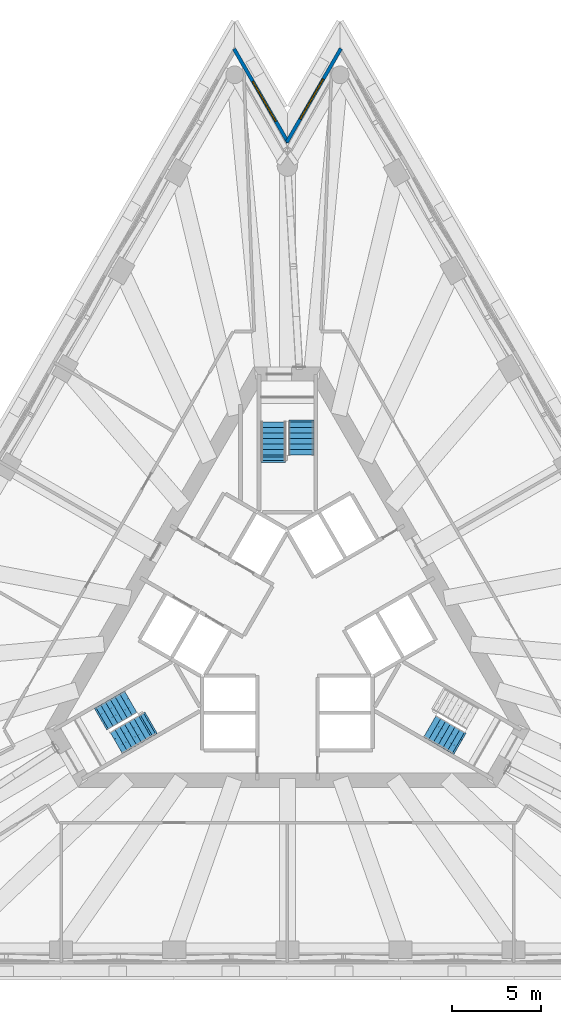
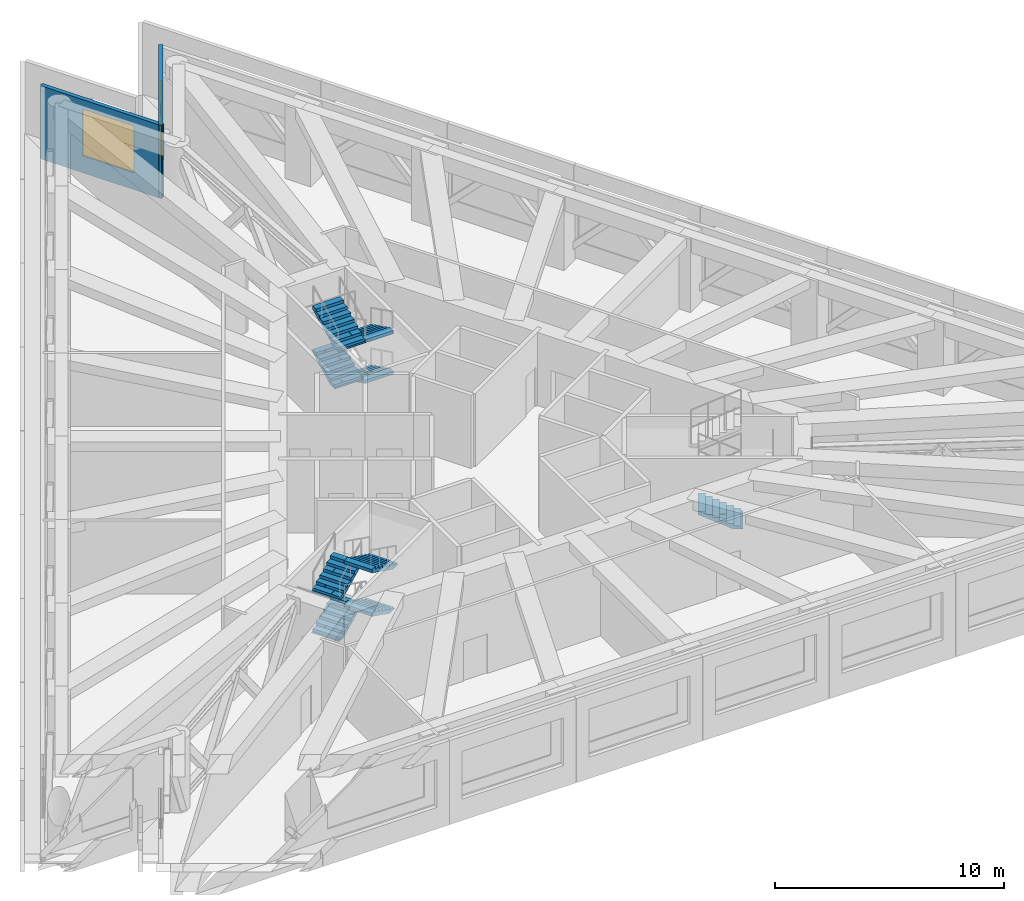
# One storey, part 10 of 13: 9 stair flights, 2 walls, 2 windows, 2 openings, 3 elements without a shape of their own.
"""IFC4 building model written with IfcOpenShell, lengths in metres."""

from ifc_helpers import new_model, si_unit, direction, frame, frame_2d, origin, place, context, subcontext, project, spatial, polyline, rectangle, outline, extrude, material, layer, layer_set, layer_usage, type_object, element, fill, aggregate, save


model = new_model("IFC4")

# Units and contexts
model_context = context("Model", 3, precision=1e-05, world=origin(), true_north=direction((0.0, 1.0)))
body_context = subcontext(model_context, "Body", "Model", "MODEL_VIEW")
ifc_project = project(units=[si_unit("LENGTHUNIT", "METRE"), si_unit("AREAUNIT", "SQUARE_METRE"), si_unit("VOLUMEUNIT", "CUBIC_METRE"), si_unit("PLANEANGLEUNIT", "RADIAN"), si_unit("MASSUNIT", "GRAM", prefix="KILO")], contexts=[model_context])

# Site, building, storey
site_placement = place(None, origin())
site = spatial("IfcSite", under=ifc_project, at=site_placement, CompositionType="ELEMENT")
building_placement = place(site_placement, origin())
building = spatial("IfcBuilding", under=site, at=building_placement, Name="Triada Interchange Tower", CompositionType="ELEMENT")
storey_placement = place(building_placement, frame((0.0, 0.0, 176.300048828125)))
storey = spatial("IfcBuildingStorey", under=building, at=storey_placement, Name="L41", CompositionType="ELEMENT", Elevation=176.300048828125)

# Wall, opening, window
ifc_material_1 = material(Name="Cement board")
ifc_layer_1 = layer(ifc_material_1, 0.02001953125, Name="Cement board cladding")
ifc_material_2 = material(Name="Sheathing board")
ifc_layer_2 = layer(ifc_material_2, 0.014892578125, Name="Sheathing board")
ifc_material_3 = material(Name="Mineral wool")
ifc_layer_3 = layer(ifc_material_3, 0.14990234375, Name="Mineral wool between steel studs")
ifc_material_4 = material(Name="Gypsum board")
ifc_layer_4 = layer(ifc_material_4, 0.014892578125, Name="Plasterboard lining")
ifc_layer_set = layer_set([ifc_layer_1, ifc_layer_2, ifc_layer_3, ifc_layer_4], Name="External wall 200")
ifc_layer_usage = layer_usage(ifc_layer_set, "AXIS2", "POSITIVE", -0.10009765625)
wall_type = type_object("IfcWallType", Name="External wall 200", PredefinedType="ELEMENTEDWALL", material=ifc_layer_set)
wall_1_placement = place(storey_placement, frame((3.01611328125, 32.654052734375, 0.0), z_axis=(0.0, 0.0, 1.0), x_axis=(-0.499886353396, -0.86609100774, 0.0)))
wall_1 = element("IfcWall", 1, at=wall_1_placement, inside=storey, type_object=wall_type, material=ifc_layer_usage, Name="External wall L41 N-1", PredefinedType="ELEMENTEDWALL", context=body_context, shape_type="SweptSolid", body=[
    extrude(rectangle(XDim=6.103515625, YDim=0.199951171875, at=frame_2d((3.0517578125, 0.0))), origin(), (0.0, 0.0, 1.0), 3.89990234375),
])
opening_1_placement = place(wall_1_placement, frame((1.989990234375, 0.0, 0.89990234375)))
opening_1 = element("IfcOpeningElement", 2, at=opening_1_placement, cuts=wall_1, Name="Opening WB29", PredefinedType="OPENING", context=body_context, shape_type="SweptSolid", body=[
    extrude(rectangle(XDim=2.60009765625, YDim=2.5, at=frame_2d((1.300048828125, 1.25))), frame((0.0, 0.10986328125, 0.0), z_axis=(0.0, -1.0, 0.0), x_axis=(1.0, 0.0, 0.0)), (0.0, 0.0, 1.0), 0.219970703125),
])
ifc_material_5 = material(Name="Double glazed aluminium window", Category="aluminium")
window_type = type_object("IfcWindowType", Name="Ribbon window B pocket", PartitioningType="SINGLE_PANEL", PredefinedType="WINDOW", material=ifc_material_5)
window_1_placement = place(opening_1_placement, origin())
window_1 = element("IfcWindow", 3, at=window_1_placement, inside=storey, type_object=window_type, Name="Window L41 N-1 1", OverallHeight=2.5, OverallWidth=2.60009765625, PartitioningType="SINGLE_PANEL", PredefinedType="WINDOW", context=body_context, shape_type="SweptSolid", body=[
    extrude(rectangle(XDim=2.60009765625, YDim=2.5, at=frame_2d((1.300048828125, 1.25))), frame((0.0, 0.030029296875, 0.0), z_axis=(0.0, -1.0, 0.0), x_axis=(1.0, 0.0, 0.0)), (0.0, 0.0, 1.0), 0.06005859375),
])
fill(opening_1, window_1)

wall_2_placement = place(storey_placement, frame((0.044921875, 27.35107421875, 0.0), z_axis=(0.0, 0.0, 1.0), x_axis=(-0.499903671999, 0.866081011639, 0.0)))
wall_2 = element("IfcWall", 4, at=wall_2_placement, inside=storey, type_object=wall_type, material=ifc_layer_usage, Name="External wall L41 N-2", PredefinedType="ELEMENTEDWALL", context=body_context, shape_type="SweptSolid", body=[
    extrude(rectangle(XDim=6.103271484375, YDim=0.199951171875, at=frame_2d((3.0517578125, 0.0))), origin(), (0.0, 0.0, 1.0), 3.89990234375),
])
opening_2_placement = place(wall_2_placement, frame((1.389892578125, 0.0, 0.89990234375)))
opening_2 = element("IfcOpeningElement", 5, at=opening_2_placement, cuts=wall_2, Name="Opening WB30", PredefinedType="OPENING", context=body_context, shape_type="SweptSolid", body=[
    extrude(rectangle(XDim=2.60009765625, YDim=2.5, at=frame_2d((1.300048828125, 1.25))), frame((0.0, 0.10986328125, 0.0), z_axis=(0.0, -1.0, 0.0), x_axis=(1.0, 0.0, 0.0)), (0.0, 0.0, 1.0), 0.219970703125),
])
window_2_placement = place(opening_2_placement, origin())
window_2 = element("IfcWindow", 6, at=window_2_placement, inside=storey, type_object=window_type, Name="Window L41 N-2 1", OverallHeight=2.5, OverallWidth=2.60009765625, PartitioningType="SINGLE_PANEL", PredefinedType="WINDOW", context=body_context, shape_type="SweptSolid", body=[
    extrude(rectangle(XDim=2.60009765625, YDim=2.5, at=frame_2d((1.300048828125, 1.25))), frame((0.0, 0.030029296875, 0.0), z_axis=(0.0, -1.0, 0.0), x_axis=(1.0, 0.0, 0.0)), (0.0, 0.0, 1.0), 0.06005859375),
])
fill(opening_2, window_2)

# Stair, stair flights
ifc_material_6 = material(Name="Concrete C35/45", Category="concrete")
stair_type = type_object("IfcStairType", Name="HALF TURN STAIR 1400", PredefinedType="HALF_TURN_STAIR", material=ifc_material_6)
stair_1_placement = place(storey_placement, origin())
stair_1 = element("IfcStair", 7, at=stair_1_placement, inside=storey, type_object=stair_type, Name="Exit stair S41-1", PredefinedType="HALF_TURN_STAIR")
stair_flight_type = type_object("IfcStairFlightType", Name="STRAIGHT STAIR FLIGHT 1400", PredefinedType="STRAIGHT", material=ifc_material_6)
stair_flight_1_placement = place(storey_placement, frame((0.800048828125, 11.60009765625, 0.0), z_axis=(0.0, 0.0, 1.0), x_axis=(0.0, -1.0, 0.0)))
stair_flight_1 = element("IfcStairFlight", 8, at=stair_flight_1_placement, type_object=stair_flight_type, Name="S41-1 flight 1", NumberOfRisers=7, NumberOfTreads=6, PredefinedType="STRAIGHT", RiserHeight=0.15517, TreadLength=0.31, context=body_context, shape_type="SweptSolid", body=[
    extrude(outline(polyline([(-0.10009765625, 0.0), (-0.10009765625, 0.02001953125), (0.0, 0.02001953125), (0.0, 0.1552734375), (0.31005859375, 0.1552734375), (0.31005859375, 0.310302734375), (0.6201171875, 0.310302734375), (0.6201171875, 0.465576171875), (0.929931640625, 0.465576171875), (0.929931640625, 0.62060546875), (1.239990234375, 0.62060546875), (1.239990234375, 0.77587890625), (1.550048828125, 0.77587890625), (1.550048828125, 0.930908203125), (1.860107421875, 0.930908203125), (1.864013671875, 0.930908203125), (1.864013671875, 1.086181640625), (1.864013671875, 0.763427734375), (0.3349609375, 0.0), (-0.10009765625, 0.0)])), frame((0.0, 0.699951171875, 0.0), z_axis=(0.0, -1.0, 0.0), x_axis=(1.0, 0.0, 0.0)), (0.0, 0.0, 1.0), 0.46533203125),
    extrude(outline(polyline([(-0.10009765625, 0.0), (-0.10009765625, 0.02001953125), (0.0, 0.02001953125), (0.0, 0.1552734375), (0.31005859375, 0.1552734375), (0.31005859375, 0.310302734375), (0.6201171875, 0.310302734375), (0.6201171875, 0.465576171875), (0.929931640625, 0.465576171875), (0.929931640625, 0.62060546875), (1.239990234375, 0.62060546875), (1.239990234375, 0.77587890625), (1.550048828125, 0.77587890625), (1.550048828125, 0.930908203125), (1.860107421875, 0.930908203125), (1.864013671875, 0.930908203125), (1.864013671875, 1.086181640625), (1.864013671875, 0.763427734375), (0.3349609375, 0.0), (-0.10009765625, 0.0)])), frame((0.0, 0.232666015625, 0.0), z_axis=(0.0, -1.0, 0.0), x_axis=(1.0, 0.0, 0.0)), (0.0, 0.0, 1.0), 0.46533203125),
    extrude(outline(polyline([(-0.10009765625, 0.0), (-0.10009765625, 0.02001953125), (0.0, 0.02001953125), (0.0, 0.1552734375), (0.31005859375, 0.1552734375), (0.31005859375, 0.310302734375), (0.6201171875, 0.310302734375), (0.6201171875, 0.465576171875), (0.929931640625, 0.465576171875), (0.929931640625, 0.62060546875), (1.239990234375, 0.62060546875), (1.239990234375, 0.77587890625), (1.550048828125, 0.77587890625), (1.550048828125, 0.930908203125), (1.860107421875, 0.930908203125), (1.864013671875, 0.930908203125), (1.864013671875, 1.086181640625), (1.864013671875, 0.763427734375), (0.3349609375, 0.0), (-0.10009765625, 0.0)])), frame((0.0, -0.234619140625, 0.0), z_axis=(0.0, -1.0, 0.0), x_axis=(1.0, 0.0, 0.0)), (0.0, 0.0, 1.0), 0.46533203125),
])
stair_flight_2_placement = place(storey_placement, frame((-0.800048828125, 9.739990234375, 1.086181640625), z_axis=(0.0, 0.0, 1.0), x_axis=(0.0, 1.0, 0.0)))
stair_flight_2 = element("IfcStairFlight", 9, at=stair_flight_2_placement, type_object=stair_flight_type, Name="S41-1 flight 2", NumberOfRisers=7, NumberOfTreads=6, PredefinedType="STRAIGHT", RiserHeight=0.15517, TreadLength=0.31, context=body_context, shape_type="SweptSolid", body=[
    extrude(outline(polyline([(-0.10009765625, 0.0), (-0.10009765625, 0.02001953125), (0.0, 0.02001953125), (0.0, 0.1552734375), (0.31005859375, 0.1552734375), (0.31005859375, 0.310302734375), (0.6201171875, 0.310302734375), (0.6201171875, 0.465576171875), (0.929931640625, 0.465576171875), (0.929931640625, 0.62060546875), (1.239990234375, 0.62060546875), (1.239990234375, 0.77587890625), (1.550048828125, 0.77587890625), (1.550048828125, 0.930908203125), (1.860107421875, 0.930908203125), (1.864013671875, 0.930908203125), (1.864013671875, 1.086181640625), (1.864013671875, 0.763427734375), (0.3349609375, 0.0), (-0.10009765625, 0.0)])), frame((0.0, 0.699951171875, 0.0), z_axis=(0.0, -1.0, 0.0), x_axis=(1.0, 0.0, 0.0)), (0.0, 0.0, 1.0), 0.46533203125),
    extrude(outline(polyline([(-0.10009765625, 0.0), (-0.10009765625, 0.02001953125), (0.0, 0.02001953125), (0.0, 0.1552734375), (0.31005859375, 0.1552734375), (0.31005859375, 0.310302734375), (0.6201171875, 0.310302734375), (0.6201171875, 0.465576171875), (0.929931640625, 0.465576171875), (0.929931640625, 0.62060546875), (1.239990234375, 0.62060546875), (1.239990234375, 0.77587890625), (1.550048828125, 0.77587890625), (1.550048828125, 0.930908203125), (1.860107421875, 0.930908203125), (1.864013671875, 0.930908203125), (1.864013671875, 1.086181640625), (1.864013671875, 0.763427734375), (0.3349609375, 0.0), (-0.10009765625, 0.0)])), frame((0.0, 0.232666015625, 0.0), z_axis=(0.0, -1.0, 0.0), x_axis=(1.0, 0.0, 0.0)), (0.0, 0.0, 1.0), 0.46533203125),
    extrude(outline(polyline([(-0.10009765625, 0.0), (-0.10009765625, 0.02001953125), (0.0, 0.02001953125), (0.0, 0.1552734375), (0.31005859375, 0.1552734375), (0.31005859375, 0.310302734375), (0.6201171875, 0.310302734375), (0.6201171875, 0.465576171875), (0.929931640625, 0.465576171875), (0.929931640625, 0.62060546875), (1.239990234375, 0.62060546875), (1.239990234375, 0.77587890625), (1.550048828125, 0.77587890625), (1.550048828125, 0.930908203125), (1.860107421875, 0.930908203125), (1.864013671875, 0.930908203125), (1.864013671875, 1.086181640625), (1.864013671875, 0.763427734375), (0.3349609375, 0.0), (-0.10009765625, 0.0)])), frame((0.0, -0.234619140625, 0.0), z_axis=(0.0, -1.0, 0.0), x_axis=(1.0, 0.0, 0.0)), (0.0, 0.0, 1.0), 0.46533203125),
])
stair_flight_3_placement = place(storey_placement, frame((0.800048828125, 11.60009765625, 2.17236328125), z_axis=(0.0, 0.0, 1.0), x_axis=(0.0, -1.0, 0.0)))
stair_flight_3 = element("IfcStairFlight", 10, at=stair_flight_3_placement, type_object=stair_flight_type, Name="S41-1 flight 3", NumberOfRisers=7, NumberOfTreads=6, PredefinedType="STRAIGHT", RiserHeight=0.15517, TreadLength=0.31, context=body_context, shape_type="SweptSolid", body=[
    extrude(outline(polyline([(-0.10009765625, 0.0), (-0.10009765625, 0.02001953125), (0.0, 0.02001953125), (0.0, 0.1552734375), (0.31005859375, 0.1552734375), (0.31005859375, 0.310302734375), (0.6201171875, 0.310302734375), (0.6201171875, 0.465576171875), (0.929931640625, 0.465576171875), (0.929931640625, 0.62060546875), (1.239990234375, 0.62060546875), (1.239990234375, 0.77587890625), (1.550048828125, 0.77587890625), (1.550048828125, 0.930908203125), (1.860107421875, 0.930908203125), (1.864013671875, 0.930908203125), (1.864013671875, 1.086181640625), (1.864013671875, 0.763427734375), (0.3349609375, 0.0), (-0.10009765625, 0.0)])), frame((0.0, 0.699951171875, 0.0), z_axis=(0.0, -1.0, 0.0), x_axis=(1.0, 0.0, 0.0)), (0.0, 0.0, 1.0), 0.46533203125),
    extrude(outline(polyline([(-0.10009765625, 0.0), (-0.10009765625, 0.02001953125), (0.0, 0.02001953125), (0.0, 0.1552734375), (0.31005859375, 0.1552734375), (0.31005859375, 0.310302734375), (0.6201171875, 0.310302734375), (0.6201171875, 0.465576171875), (0.929931640625, 0.465576171875), (0.929931640625, 0.62060546875), (1.239990234375, 0.62060546875), (1.239990234375, 0.77587890625), (1.550048828125, 0.77587890625), (1.550048828125, 0.930908203125), (1.860107421875, 0.930908203125), (1.864013671875, 0.930908203125), (1.864013671875, 1.086181640625), (1.864013671875, 0.763427734375), (0.3349609375, 0.0), (-0.10009765625, 0.0)])), frame((0.0, 0.232666015625, 0.0), z_axis=(0.0, -1.0, 0.0), x_axis=(1.0, 0.0, 0.0)), (0.0, 0.0, 1.0), 0.46533203125),
    extrude(outline(polyline([(-0.10009765625, 0.0), (-0.10009765625, 0.02001953125), (0.0, 0.02001953125), (0.0, 0.1552734375), (0.31005859375, 0.1552734375), (0.31005859375, 0.310302734375), (0.6201171875, 0.310302734375), (0.6201171875, 0.465576171875), (0.929931640625, 0.465576171875), (0.929931640625, 0.62060546875), (1.239990234375, 0.62060546875), (1.239990234375, 0.77587890625), (1.550048828125, 0.77587890625), (1.550048828125, 0.930908203125), (1.860107421875, 0.930908203125), (1.864013671875, 0.930908203125), (1.864013671875, 1.086181640625), (1.864013671875, 0.763427734375), (0.3349609375, 0.0), (-0.10009765625, 0.0)])), frame((0.0, -0.234619140625, 0.0), z_axis=(0.0, -1.0, 0.0), x_axis=(1.0, 0.0, 0.0)), (0.0, 0.0, 1.0), 0.46533203125),
])
stair_flight_4_placement = place(storey_placement, frame((-0.800048828125, 9.429931640625, 3.258544921875), z_axis=(0.0, 0.0, 1.0), x_axis=(0.0, 1.0, 0.0)))
stair_flight_4 = element("IfcStairFlight", 11, at=stair_flight_4_placement, type_object=stair_flight_type, Name="S41-1 flight 4", NumberOfRisers=8, NumberOfTreads=7, PredefinedType="STRAIGHT", RiserHeight=0.15517, TreadLength=0.31, context=body_context, shape_type="SweptSolid", body=[
    extrude(outline(polyline([(-0.10009765625, 0.0), (-0.10009765625, 0.02001953125), (0.0, 0.02001953125), (0.0, 0.1552734375), (0.31005859375, 0.1552734375), (0.31005859375, 0.310302734375), (0.6201171875, 0.310302734375), (0.6201171875, 0.465576171875), (0.929931640625, 0.465576171875), (0.929931640625, 0.62060546875), (1.239990234375, 0.62060546875), (1.239990234375, 0.77587890625), (1.550048828125, 0.77587890625), (1.550048828125, 0.930908203125), (1.860107421875, 0.930908203125), (1.860107421875, 1.086181640625), (2.169921875, 1.086181640625), (2.174072265625, 1.086181640625), (2.174072265625, 1.241455078125), (2.174072265625, 0.91845703125), (0.3349609375, 0.0), (-0.10009765625, 0.0)])), frame((0.0, 0.699951171875, 0.0), z_axis=(0.0, -1.0, 0.0), x_axis=(1.0, 0.0, 0.0)), (0.0, 0.0, 1.0), 0.46533203125),
    extrude(outline(polyline([(-0.10009765625, 0.0), (-0.10009765625, 0.02001953125), (0.0, 0.02001953125), (0.0, 0.1552734375), (0.31005859375, 0.1552734375), (0.31005859375, 0.310302734375), (0.6201171875, 0.310302734375), (0.6201171875, 0.465576171875), (0.929931640625, 0.465576171875), (0.929931640625, 0.62060546875), (1.239990234375, 0.62060546875), (1.239990234375, 0.77587890625), (1.550048828125, 0.77587890625), (1.550048828125, 0.930908203125), (1.860107421875, 0.930908203125), (1.860107421875, 1.086181640625), (2.169921875, 1.086181640625), (2.174072265625, 1.086181640625), (2.174072265625, 1.241455078125), (2.174072265625, 0.91845703125), (0.3349609375, 0.0), (-0.10009765625, 0.0)])), frame((0.0, 0.232666015625, 0.0), z_axis=(0.0, -1.0, 0.0), x_axis=(1.0, 0.0, 0.0)), (0.0, 0.0, 1.0), 0.46533203125),
    extrude(outline(polyline([(-0.10009765625, 0.0), (-0.10009765625, 0.02001953125), (0.0, 0.02001953125), (0.0, 0.1552734375), (0.31005859375, 0.1552734375), (0.31005859375, 0.310302734375), (0.6201171875, 0.310302734375), (0.6201171875, 0.465576171875), (0.929931640625, 0.465576171875), (0.929931640625, 0.62060546875), (1.239990234375, 0.62060546875), (1.239990234375, 0.77587890625), (1.550048828125, 0.77587890625), (1.550048828125, 0.930908203125), (1.860107421875, 0.930908203125), (1.860107421875, 1.086181640625), (2.169921875, 1.086181640625), (2.174072265625, 1.086181640625), (2.174072265625, 1.241455078125), (2.174072265625, 0.91845703125), (0.3349609375, 0.0), (-0.10009765625, 0.0)])), frame((0.0, -0.234619140625, 0.0), z_axis=(0.0, -1.0, 0.0), x_axis=(1.0, 0.0, 0.0)), (0.0, 0.0, 1.0), 0.46533203125),
])
aggregate(stair_1, [stair_flight_1, stair_flight_2, stair_flight_3, stair_flight_4])

stair_2_placement = place(storey_placement, origin())
stair_2 = element("IfcStair", 12, at=stair_2_placement, inside=storey, type_object=stair_type, Name="Exit stair S41-2", PredefinedType="HALF_TURN_STAIR")
stair_flight_5_placement = place(storey_placement, frame((-10.446044921875, -5.10693359375, 0.0), z_axis=(0.0, 0.0, 1.0), x_axis=(0.866025403784, 0.5, 0.0)))
stair_flight_5 = element("IfcStairFlight", 13, at=stair_flight_5_placement, type_object=stair_flight_type, Name="S41-2 flight 1", NumberOfRisers=7, NumberOfTreads=6, PredefinedType="STRAIGHT", RiserHeight=0.15517, TreadLength=0.31, context=body_context, shape_type="SweptSolid", body=[
    extrude(outline(polyline([(-0.10009765625, 0.0), (-0.10009765625, 0.02001953125), (0.0, 0.02001953125), (0.0, 0.1552734375), (0.31005859375, 0.1552734375), (0.31005859375, 0.310302734375), (0.6201171875, 0.310302734375), (0.6201171875, 0.465576171875), (0.929931640625, 0.465576171875), (0.929931640625, 0.62060546875), (1.239990234375, 0.62060546875), (1.239990234375, 0.77587890625), (1.550048828125, 0.77587890625), (1.550048828125, 0.930908203125), (1.860107421875, 0.930908203125), (1.864013671875, 0.930908203125), (1.864013671875, 1.086181640625), (1.864013671875, 0.763427734375), (0.3349609375, 0.0), (-0.10009765625, 0.0)])), frame((0.0, 0.699951171875, 0.0), z_axis=(0.0, -1.0, 0.0), x_axis=(1.0, 0.0, 0.0)), (0.0, 0.0, 1.0), 0.46533203125),
    extrude(outline(polyline([(-0.10009765625, 0.0), (-0.10009765625, 0.02001953125), (0.0, 0.02001953125), (0.0, 0.1552734375), (0.31005859375, 0.1552734375), (0.31005859375, 0.310302734375), (0.6201171875, 0.310302734375), (0.6201171875, 0.465576171875), (0.929931640625, 0.465576171875), (0.929931640625, 0.62060546875), (1.239990234375, 0.62060546875), (1.239990234375, 0.77587890625), (1.550048828125, 0.77587890625), (1.550048828125, 0.930908203125), (1.860107421875, 0.930908203125), (1.864013671875, 0.930908203125), (1.864013671875, 1.086181640625), (1.864013671875, 0.763427734375), (0.3349609375, 0.0), (-0.10009765625, 0.0)])), frame((0.0, 0.232666015625, 0.0), z_axis=(0.0, -1.0, 0.0), x_axis=(1.0, 0.0, 0.0)), (0.0, 0.0, 1.0), 0.46533203125),
    extrude(outline(polyline([(-0.10009765625, 0.0), (-0.10009765625, 0.02001953125), (0.0, 0.02001953125), (0.0, 0.1552734375), (0.31005859375, 0.1552734375), (0.31005859375, 0.310302734375), (0.6201171875, 0.310302734375), (0.6201171875, 0.465576171875), (0.929931640625, 0.465576171875), (0.929931640625, 0.62060546875), (1.239990234375, 0.62060546875), (1.239990234375, 0.77587890625), (1.550048828125, 0.77587890625), (1.550048828125, 0.930908203125), (1.860107421875, 0.930908203125), (1.864013671875, 0.930908203125), (1.864013671875, 1.086181640625), (1.864013671875, 0.763427734375), (0.3349609375, 0.0), (-0.10009765625, 0.0)])), frame((0.0, -0.234619140625, 0.0), z_axis=(0.0, -1.0, 0.0), x_axis=(1.0, 0.0, 0.0)), (0.0, 0.0, 1.0), 0.46533203125),
])
stair_flight_6_placement = place(storey_placement, frame((-8.034912109375, -5.56298828125, 1.086181640625), z_axis=(0.0, 0.0, 1.0), x_axis=(-0.866025403784, -0.5, 0.0)))
stair_flight_6 = element("IfcStairFlight", 14, at=stair_flight_6_placement, type_object=stair_flight_type, Name="S41-2 flight 2", NumberOfRisers=7, NumberOfTreads=6, PredefinedType="STRAIGHT", RiserHeight=0.15517, TreadLength=0.31, context=body_context, shape_type="SweptSolid", body=[
    extrude(outline(polyline([(-0.10009765625, 0.0), (-0.10009765625, 0.02001953125), (0.0, 0.02001953125), (0.0, 0.1552734375), (0.31005859375, 0.1552734375), (0.31005859375, 0.310302734375), (0.6201171875, 0.310302734375), (0.6201171875, 0.465576171875), (0.929931640625, 0.465576171875), (0.929931640625, 0.62060546875), (1.239990234375, 0.62060546875), (1.239990234375, 0.77587890625), (1.550048828125, 0.77587890625), (1.550048828125, 0.930908203125), (1.860107421875, 0.930908203125), (1.864013671875, 0.930908203125), (1.864013671875, 1.086181640625), (1.864013671875, 0.763427734375), (0.3349609375, 0.0), (-0.10009765625, 0.0)])), frame((0.0, 0.699951171875, 0.0), z_axis=(0.0, -1.0, 0.0), x_axis=(1.0, 0.0, 0.0)), (0.0, 0.0, 1.0), 0.46533203125),
    extrude(outline(polyline([(-0.10009765625, 0.0), (-0.10009765625, 0.02001953125), (0.0, 0.02001953125), (0.0, 0.1552734375), (0.31005859375, 0.1552734375), (0.31005859375, 0.310302734375), (0.6201171875, 0.310302734375), (0.6201171875, 0.465576171875), (0.929931640625, 0.465576171875), (0.929931640625, 0.62060546875), (1.239990234375, 0.62060546875), (1.239990234375, 0.77587890625), (1.550048828125, 0.77587890625), (1.550048828125, 0.930908203125), (1.860107421875, 0.930908203125), (1.864013671875, 0.930908203125), (1.864013671875, 1.086181640625), (1.864013671875, 0.763427734375), (0.3349609375, 0.0), (-0.10009765625, 0.0)])), frame((0.0, 0.232666015625, 0.0), z_axis=(0.0, -1.0, 0.0), x_axis=(1.0, 0.0, 0.0)), (0.0, 0.0, 1.0), 0.46533203125),
    extrude(outline(polyline([(-0.10009765625, 0.0), (-0.10009765625, 0.02001953125), (0.0, 0.02001953125), (0.0, 0.1552734375), (0.31005859375, 0.1552734375), (0.31005859375, 0.310302734375), (0.6201171875, 0.310302734375), (0.6201171875, 0.465576171875), (0.929931640625, 0.465576171875), (0.929931640625, 0.62060546875), (1.239990234375, 0.62060546875), (1.239990234375, 0.77587890625), (1.550048828125, 0.77587890625), (1.550048828125, 0.930908203125), (1.860107421875, 0.930908203125), (1.864013671875, 0.930908203125), (1.864013671875, 1.086181640625), (1.864013671875, 0.763427734375), (0.3349609375, 0.0), (-0.10009765625, 0.0)])), frame((0.0, -0.234619140625, 0.0), z_axis=(0.0, -1.0, 0.0), x_axis=(1.0, 0.0, 0.0)), (0.0, 0.0, 1.0), 0.46533203125),
])
stair_flight_7_placement = place(storey_placement, frame((-10.446044921875, -5.10693359375, 2.17236328125), z_axis=(0.0, 0.0, 1.0), x_axis=(0.866025403784, 0.5, 0.0)))
stair_flight_7 = element("IfcStairFlight", 15, at=stair_flight_7_placement, type_object=stair_flight_type, Name="S41-2 flight 3", NumberOfRisers=7, NumberOfTreads=6, PredefinedType="STRAIGHT", RiserHeight=0.15517, TreadLength=0.31, context=body_context, shape_type="SweptSolid", body=[
    extrude(outline(polyline([(-0.10009765625, 0.0), (-0.10009765625, 0.02001953125), (0.0, 0.02001953125), (0.0, 0.1552734375), (0.31005859375, 0.1552734375), (0.31005859375, 0.310302734375), (0.6201171875, 0.310302734375), (0.6201171875, 0.465576171875), (0.929931640625, 0.465576171875), (0.929931640625, 0.62060546875), (1.239990234375, 0.62060546875), (1.239990234375, 0.77587890625), (1.550048828125, 0.77587890625), (1.550048828125, 0.930908203125), (1.860107421875, 0.930908203125), (1.864013671875, 0.930908203125), (1.864013671875, 1.086181640625), (1.864013671875, 0.763427734375), (0.3349609375, 0.0), (-0.10009765625, 0.0)])), frame((0.0, 0.699951171875, 0.0), z_axis=(0.0, -1.0, 0.0), x_axis=(1.0, 0.0, 0.0)), (0.0, 0.0, 1.0), 0.46533203125),
    extrude(outline(polyline([(-0.10009765625, 0.0), (-0.10009765625, 0.02001953125), (0.0, 0.02001953125), (0.0, 0.1552734375), (0.31005859375, 0.1552734375), (0.31005859375, 0.310302734375), (0.6201171875, 0.310302734375), (0.6201171875, 0.465576171875), (0.929931640625, 0.465576171875), (0.929931640625, 0.62060546875), (1.239990234375, 0.62060546875), (1.239990234375, 0.77587890625), (1.550048828125, 0.77587890625), (1.550048828125, 0.930908203125), (1.860107421875, 0.930908203125), (1.864013671875, 0.930908203125), (1.864013671875, 1.086181640625), (1.864013671875, 0.763427734375), (0.3349609375, 0.0), (-0.10009765625, 0.0)])), frame((0.0, 0.232666015625, 0.0), z_axis=(0.0, -1.0, 0.0), x_axis=(1.0, 0.0, 0.0)), (0.0, 0.0, 1.0), 0.46533203125),
    extrude(outline(polyline([(-0.10009765625, 0.0), (-0.10009765625, 0.02001953125), (0.0, 0.02001953125), (0.0, 0.1552734375), (0.31005859375, 0.1552734375), (0.31005859375, 0.310302734375), (0.6201171875, 0.310302734375), (0.6201171875, 0.465576171875), (0.929931640625, 0.465576171875), (0.929931640625, 0.62060546875), (1.239990234375, 0.62060546875), (1.239990234375, 0.77587890625), (1.550048828125, 0.77587890625), (1.550048828125, 0.930908203125), (1.860107421875, 0.930908203125), (1.864013671875, 0.930908203125), (1.864013671875, 1.086181640625), (1.864013671875, 0.763427734375), (0.3349609375, 0.0), (-0.10009765625, 0.0)])), frame((0.0, -0.234619140625, 0.0), z_axis=(0.0, -1.0, 0.0), x_axis=(1.0, 0.0, 0.0)), (0.0, 0.0, 1.0), 0.46533203125),
])
stair_flight_8_placement = place(storey_placement, frame((-7.76708984375, -5.407958984375, 3.258544921875), z_axis=(0.0, 0.0, 1.0), x_axis=(-0.866025403784, -0.5, 0.0)))
stair_flight_8 = element("IfcStairFlight", 16, at=stair_flight_8_placement, type_object=stair_flight_type, Name="S41-2 flight 4", NumberOfRisers=8, NumberOfTreads=7, PredefinedType="STRAIGHT", RiserHeight=0.15517, TreadLength=0.31, context=body_context, shape_type="SweptSolid", body=[
    extrude(outline(polyline([(-0.10009765625, 0.0), (-0.10009765625, 0.02001953125), (0.0, 0.02001953125), (0.0, 0.1552734375), (0.31005859375, 0.1552734375), (0.31005859375, 0.310302734375), (0.6201171875, 0.310302734375), (0.6201171875, 0.465576171875), (0.929931640625, 0.465576171875), (0.929931640625, 0.62060546875), (1.239990234375, 0.62060546875), (1.239990234375, 0.77587890625), (1.550048828125, 0.77587890625), (1.550048828125, 0.930908203125), (1.860107421875, 0.930908203125), (1.860107421875, 1.086181640625), (2.169921875, 1.086181640625), (2.174072265625, 1.086181640625), (2.174072265625, 1.241455078125), (2.174072265625, 0.91845703125), (0.3349609375, 0.0), (-0.10009765625, 0.0)])), frame((0.0, 0.699951171875, 0.0), z_axis=(0.0, -1.0, 0.0), x_axis=(1.0, 0.0, 0.0)), (0.0, 0.0, 1.0), 0.46533203125),
    extrude(outline(polyline([(-0.10009765625, 0.0), (-0.10009765625, 0.02001953125), (0.0, 0.02001953125), (0.0, 0.1552734375), (0.31005859375, 0.1552734375), (0.31005859375, 0.310302734375), (0.6201171875, 0.310302734375), (0.6201171875, 0.465576171875), (0.929931640625, 0.465576171875), (0.929931640625, 0.62060546875), (1.239990234375, 0.62060546875), (1.239990234375, 0.77587890625), (1.550048828125, 0.77587890625), (1.550048828125, 0.930908203125), (1.860107421875, 0.930908203125), (1.860107421875, 1.086181640625), (2.169921875, 1.086181640625), (2.174072265625, 1.086181640625), (2.174072265625, 1.241455078125), (2.174072265625, 0.91845703125), (0.3349609375, 0.0), (-0.10009765625, 0.0)])), frame((0.0, 0.232666015625, 0.0), z_axis=(0.0, -1.0, 0.0), x_axis=(1.0, 0.0, 0.0)), (0.0, 0.0, 1.0), 0.46533203125),
    extrude(outline(polyline([(-0.10009765625, 0.0), (-0.10009765625, 0.02001953125), (0.0, 0.02001953125), (0.0, 0.1552734375), (0.31005859375, 0.1552734375), (0.31005859375, 0.310302734375), (0.6201171875, 0.310302734375), (0.6201171875, 0.465576171875), (0.929931640625, 0.465576171875), (0.929931640625, 0.62060546875), (1.239990234375, 0.62060546875), (1.239990234375, 0.77587890625), (1.550048828125, 0.77587890625), (1.550048828125, 0.930908203125), (1.860107421875, 0.930908203125), (1.860107421875, 1.086181640625), (2.169921875, 1.086181640625), (2.174072265625, 1.086181640625), (2.174072265625, 1.241455078125), (2.174072265625, 0.91845703125), (0.3349609375, 0.0), (-0.10009765625, 0.0)])), frame((0.0, -0.234619140625, 0.0), z_axis=(0.0, -1.0, 0.0), x_axis=(1.0, 0.0, 0.0)), (0.0, 0.0, 1.0), 0.46533203125),
])
aggregate(stair_2, [stair_flight_5, stair_flight_6, stair_flight_7, stair_flight_8])

# Stair, stair flight
stair_3_placement = place(storey_placement, origin())
stair_3 = element("IfcStair", 17, at=stair_3_placement, inside=storey, type_object=stair_type, Name="Exit stair S41-3", PredefinedType="HALF_TURN_STAIR")
stair_flight_9_placement = place(storey_placement, frame((9.64599609375, -6.492919921875, 0.0), z_axis=(0.0, 0.0, 1.0), x_axis=(-0.866025403784, 0.5, 0.0)))
stair_flight_9 = element("IfcStairFlight", 18, at=stair_flight_9_placement, type_object=stair_flight_type, Name="S41-3 flight 1", NumberOfRisers=7, NumberOfTreads=6, PredefinedType="STRAIGHT", RiserHeight=0.15517, TreadLength=0.31, context=body_context, shape_type="SweptSolid", body=[
    extrude(outline(polyline([(-0.10009765625, 0.0), (-0.10009765625, 0.02001953125), (0.0, 0.02001953125), (0.0, 0.1552734375), (0.31005859375, 0.1552734375), (0.31005859375, 0.310302734375), (0.6201171875, 0.310302734375), (0.6201171875, 0.465576171875), (0.929931640625, 0.465576171875), (0.929931640625, 0.62060546875), (1.239990234375, 0.62060546875), (1.239990234375, 0.77587890625), (1.550048828125, 0.77587890625), (1.550048828125, 0.930908203125), (1.860107421875, 0.930908203125), (1.864013671875, 0.930908203125), (1.864013671875, 1.086181640625), (1.864013671875, 0.763427734375), (0.3349609375, 0.0), (-0.10009765625, 0.0)])), frame((0.0, 0.699951171875, 0.0), z_axis=(0.0, -1.0, 0.0), x_axis=(1.0, 0.0, 0.0)), (0.0, 0.0, 1.0), 0.46533203125),
    extrude(outline(polyline([(-0.10009765625, 0.0), (-0.10009765625, 0.02001953125), (0.0, 0.02001953125), (0.0, 0.1552734375), (0.31005859375, 0.1552734375), (0.31005859375, 0.310302734375), (0.6201171875, 0.310302734375), (0.6201171875, 0.465576171875), (0.929931640625, 0.465576171875), (0.929931640625, 0.62060546875), (1.239990234375, 0.62060546875), (1.239990234375, 0.77587890625), (1.550048828125, 0.77587890625), (1.550048828125, 0.930908203125), (1.860107421875, 0.930908203125), (1.864013671875, 0.930908203125), (1.864013671875, 1.086181640625), (1.864013671875, 0.763427734375), (0.3349609375, 0.0), (-0.10009765625, 0.0)])), frame((0.0, 0.232666015625, 0.0), z_axis=(0.0, -1.0, 0.0), x_axis=(1.0, 0.0, 0.0)), (0.0, 0.0, 1.0), 0.46533203125),
    extrude(outline(polyline([(-0.10009765625, 0.0), (-0.10009765625, 0.02001953125), (0.0, 0.02001953125), (0.0, 0.1552734375), (0.31005859375, 0.1552734375), (0.31005859375, 0.310302734375), (0.6201171875, 0.310302734375), (0.6201171875, 0.465576171875), (0.929931640625, 0.465576171875), (0.929931640625, 0.62060546875), (1.239990234375, 0.62060546875), (1.239990234375, 0.77587890625), (1.550048828125, 0.77587890625), (1.550048828125, 0.930908203125), (1.860107421875, 0.930908203125), (1.864013671875, 0.930908203125), (1.864013671875, 1.086181640625), (1.864013671875, 0.763427734375), (0.3349609375, 0.0), (-0.10009765625, 0.0)])), frame((0.0, -0.234619140625, 0.0), z_axis=(0.0, -1.0, 0.0), x_axis=(1.0, 0.0, 0.0)), (0.0, 0.0, 1.0), 0.46533203125),
])
aggregate(stair_3, [stair_flight_9])

save(model, "model.ifc")
